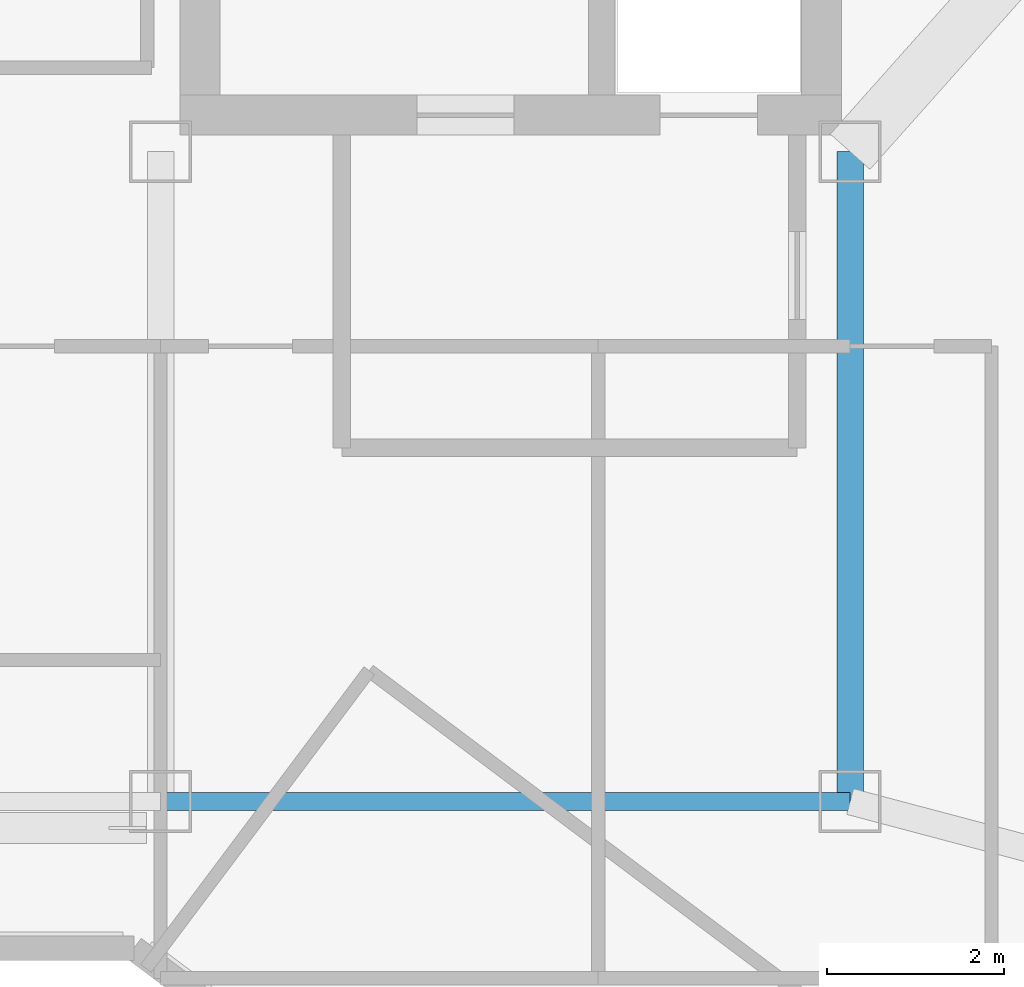
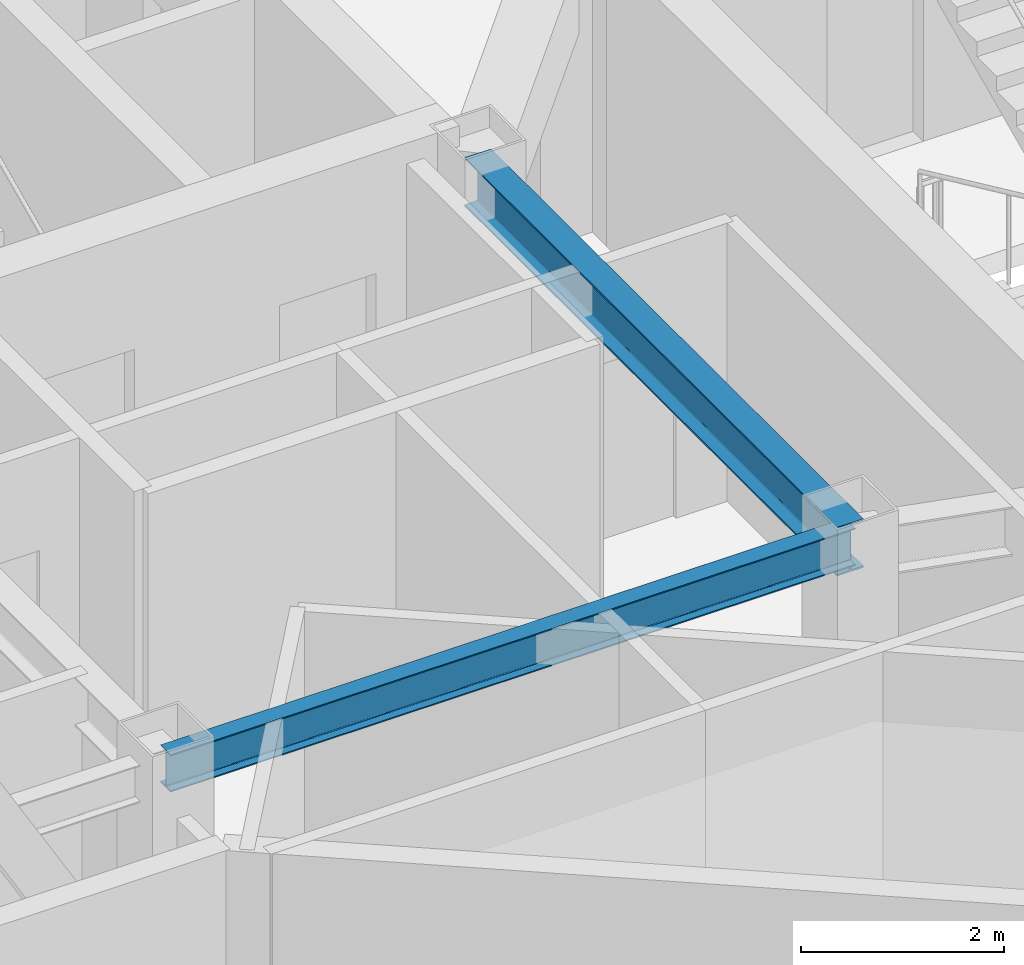
# One storey, part 5 of 25: 2 beams.
"""IFC4 building model written with IfcOpenShell, lengths in metres."""

from ifc_helpers import new_model, si_unit, direction, frame, origin, origin_2d, place, context, subcontext, project, spatial, i_section, extrude, material, material_profile, profile_set, type_object, element, save


model = new_model("IFC4")

# Units and contexts
model_context = context("Model", 3, precision=1e-05, world=origin(), true_north=direction((0.0, 1.0)))
body_context = subcontext(model_context, "Body", "Model", "MODEL_VIEW")
ifc_project = project(units=[si_unit("LENGTHUNIT", "METRE"), si_unit("AREAUNIT", "SQUARE_METRE"), si_unit("VOLUMEUNIT", "CUBIC_METRE"), si_unit("PLANEANGLEUNIT", "RADIAN"), si_unit("MASSUNIT", "GRAM", prefix="KILO")], contexts=[model_context])

# Site, building, storey
site_placement = place(None, origin())
site = spatial("IfcSite", under=ifc_project, at=site_placement, CompositionType="ELEMENT")
building_placement = place(site_placement, origin())
building = spatial("IfcBuilding", under=site, at=building_placement, Name="Hatsunagi Terrace Concourse", CompositionType="ELEMENT")
storey_placement = place(building_placement, frame((0.0, 0.0, 223.949951171875)))
storey = spatial("IfcBuildingStorey", under=building, at=storey_placement, Name="L59", CompositionType="ELEMENT", Elevation=223.949951171875)

# Beams
ifc_material_1 = material(Name="Steel SN490B", Category="steel")
ifc_material_profile_1 = material_profile(ifc_material_1, i_section(OverallWidth=0.300048828125, OverallDepth=0.587890625, WebThickness=0.011962890625, FlangeThickness=0.02001953125, FilletRadius=0.01806640625, at=origin_2d()), Name="H-588x300x12x20")
ifc_profile_set_1 = profile_set([ifc_material_profile_1], Name="Steel SN490B")
beam_type_1 = type_object("IfcBeamType", Name="OfficeHighGirder_H_588x300", PredefinedType="BEAM", material=ifc_profile_set_1)
beam_1_placement = place(storey_placement, frame((33.35009765625, 25.199951171875, 3.05615234375), z_axis=(0.0, 1.0, 0.0), x_axis=(-1.0, 0.0, 0.0)))
element("IfcBeam", 1, at=beam_1_placement, inside=storey, type_object=beam_type_1, Name="Beam G-06 BM-L59-K2CA", PredefinedType="BEAM", context=body_context, shape_type="SweptSolid", body=[
    extrude(i_section(OverallWidth=0.300048828125, OverallDepth=0.587890625, WebThickness=0.011962890625, FlangeThickness=0.02001953125, FilletRadius=0.01806640625, at=origin_2d()), origin(), (0.0, 0.0, 1.0), 7.35009765625),
])
ifc_material_2 = material(Name="Steel SN490B", Category="steel")
ifc_material_profile_2 = material_profile(ifc_material_2, i_section(OverallWidth=0.199951171875, OverallDepth=0.449951171875, WebThickness=0.009033203125, FlangeThickness=0.013916015625, FilletRadius=0.01611328125, at=origin_2d()), Name="H-450x200x9x14")
ifc_profile_set_2 = profile_set([ifc_material_profile_2], Name="Steel SN490B")
beam_type_2 = type_object("IfcBeamType", Name="PerimeterSpandrel_H_450x200", PredefinedType="SPANDREL", material=ifc_profile_set_2)
beam_2_placement = place(storey_placement, frame((25.550048828125, 25.199951171875, 3.125), z_axis=(1.0, 0.0, 0.0), x_axis=(0.0, 1.0, 0.0)))
element("IfcBeam", 2, at=beam_2_placement, inside=storey, type_object=beam_type_2, Name="Beam SP-02 BM-L59-WS-25", PredefinedType="SPANDREL", context=body_context, shape_type="SweptSolid", body=[
    extrude(i_section(OverallWidth=0.199951171875, OverallDepth=0.449951171875, WebThickness=0.009033203125, FlangeThickness=0.013916015625, FilletRadius=0.01611328125, at=origin_2d()), origin(), (0.0, 0.0, 1.0), 7.800048828125),
])

save(model, "model.ifc")
